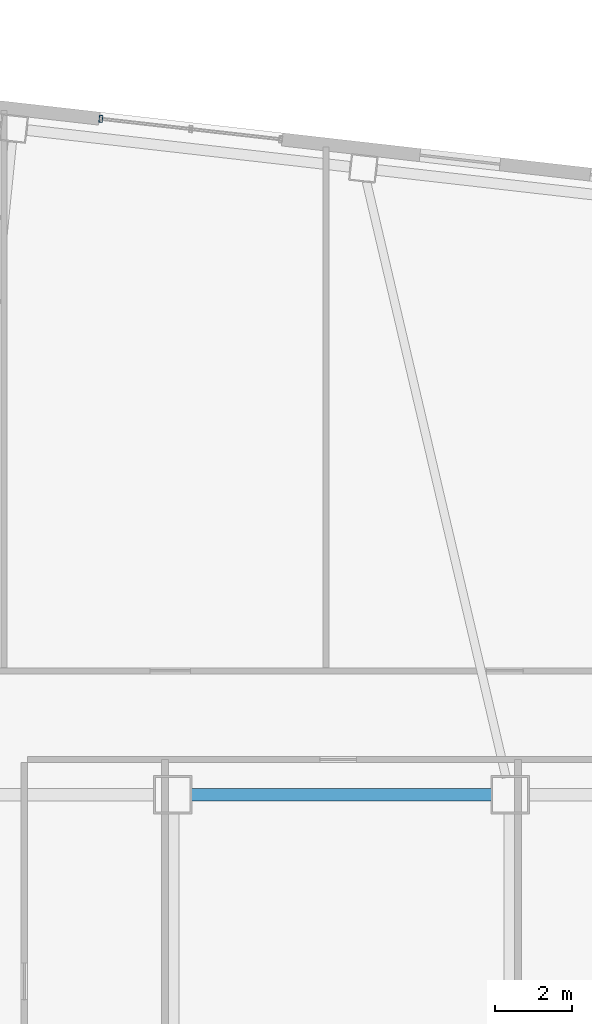
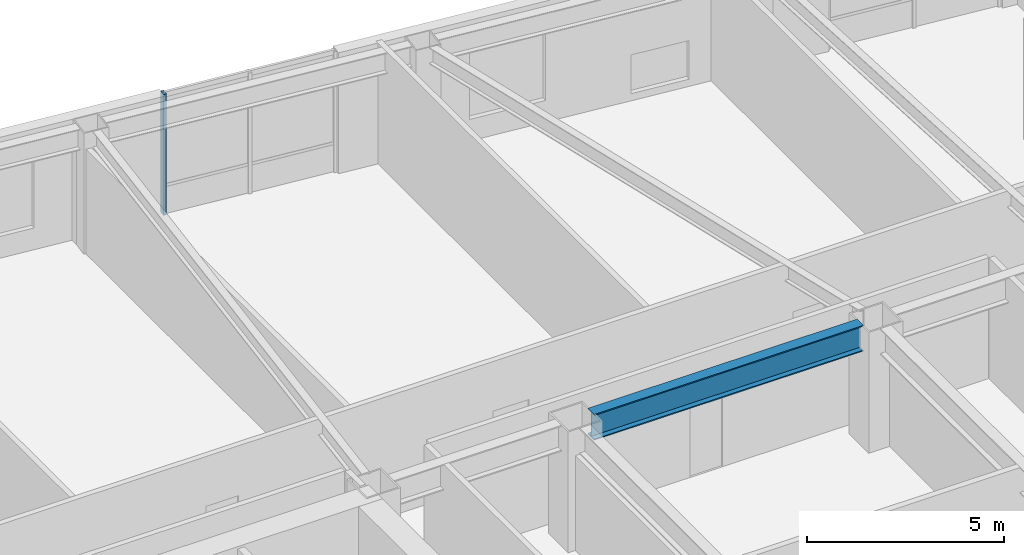
# One storey, part 5 of 19: 1 beam, 1 member, 1 element without a shape of its own.
"""IFC4 building model written with IfcOpenShell, lengths in metres."""

import ifcopenshell
import ifcopenshell.guid

model = None  # the IFC model being written
_history = None  # IfcOwnerHistory: only IFC2X3 demands one
_inside = {}  # id of a spatial element -> (the spatial element, [elements in it])
_under = {}  # id of a project, library or spatial element -> (it, [spatial elements below it])
_declared = {}  # id of a project -> (the project, [libraries it declares])
_typed = {}  # id of a type object -> (the type object, [elements of that type])
_made_of = {}  # id of a material, layer set ... -> (it, [elements and type objects made of it])


def new_model(schema):
    """Start an empty IFC model of exactly this schema.

    Asked for "IFC4X3", IfcOpenShell would pick the latest addendum, in which some entities
    have other attributes; the version numbers below select the first issue.
    IFC2X3 requires an IfcOwnerHistory on every rooted entity: one is made here for all.
    """
    global model, _history
    if schema == "IFC4X3":
        model = ifcopenshell.file(schema_version=(4, 3, 0, 0))
    else:
        model = ifcopenshell.file(schema=schema)
    _inside.clear()
    _under.clear()
    _declared.clear()
    _typed.clear()
    _made_of.clear()
    _history = None
    if model.schema == "IFC2X3":
        org = make("IfcOrganization", Name="unknown")
        user = make(
            "IfcPersonAndOrganization",
            ThePerson=make("IfcPerson", FamilyName="unknown"),
            TheOrganization=org,
        )
        app = make(
            "IfcApplication",
            ApplicationDeveloper=org,
            Version="unknown",
            ApplicationFullName="unknown",
            ApplicationIdentifier="unknown",
        )
        _history = make(
            "IfcOwnerHistory",
            OwningUser=user,
            OwningApplication=app,
            ChangeAction="ADDED",
            CreationDate=0,
        )
    return model


def make(cls, **values):
    """One entity of the class cls with the attributes given. An attribute that is None is left unset."""
    return model.create_entity(
        cls, **{name: value for name, value in values.items() if value is not None}
    )


def rooted(cls, **values):
    """An entity with a GlobalId (a new one), such as an element, a storey or a relation."""
    return make(cls, GlobalId=ifcopenshell.guid.new(), OwnerHistory=_history, **values)


def si_unit(unit_type, name, prefix=None):
    """IfcSIUnit, for example si_unit("LENGTHUNIT", "METRE", prefix="MILLI")."""
    return make("IfcSIUnit", UnitType=unit_type, Prefix=prefix, Name=name)


def assignment(units):
    """IfcUnitAssignment: the units of a project."""
    return None if units is None else make("IfcUnitAssignment", Units=units)


def point(xyz):
    """IfcCartesianPoint."""
    return None if xyz is None else make("IfcCartesianPoint", Coordinates=xyz)


def direction(xyz):
    """IfcDirection."""
    return None if xyz is None else make("IfcDirection", DirectionRatios=xyz)


def frame(location, z_axis=None, x_axis=None):
    """IfcAxis2Placement3D, a coordinate frame: its origin and axes. An axis left out is left unset."""
    return make(
        "IfcAxis2Placement3D",
        Location=point(location),
        Axis=direction(z_axis),
        RefDirection=direction(x_axis),
    )


def frame_2d(location, x_axis=None):
    """IfcAxis2Placement2D, a coordinate frame in the plane: its origin and x axis."""
    return make(
        "IfcAxis2Placement2D", Location=point(location), RefDirection=direction(x_axis)
    )


def origin():
    """The frame at (0, 0, 0) with its axes left unset."""
    return frame((0.0, 0.0, 0.0))


def origin_2d():
    """The frame at (0, 0) in the plane with its x axis left unset."""
    return frame_2d((0.0, 0.0))


def place(relative_to, where):
    """IfcLocalPlacement: puts the frame where relative to a parent placement (None: the world)."""
    return make(
        "IfcLocalPlacement", PlacementRelTo=relative_to, RelativePlacement=where
    )


def context(
    kind, dimensions, precision=None, world=None, true_north=None, identifier=None
):
    """IfcGeometricRepresentationContext, for example the 3D "Model" context."""
    return make(
        "IfcGeometricRepresentationContext",
        ContextIdentifier=identifier,
        ContextType=kind,
        CoordinateSpaceDimension=dimensions,
        Precision=precision,
        WorldCoordinateSystem=world,
        TrueNorth=true_north,
    )


def subcontext(parent, identifier, kind, view, scale=None):
    """IfcGeometricRepresentationSubContext, for example "Body" below "Model"."""
    return make(
        "IfcGeometricRepresentationSubContext",
        ContextIdentifier=identifier,
        ContextType=kind,
        ParentContext=parent,
        TargetScale=scale,
        TargetView=view,
    )


def project(units=None, contexts=None):
    """IfcProject with its units and contexts."""
    return rooted(
        "IfcProject",
        Name="project",
        RepresentationContexts=contexts,
        UnitsInContext=assignment(units),
    )


def spatial(cls, under=None, at=None, **own):
    """A site, building, storey or space (cls), placed at a placement, below another one or the project."""
    s = rooted(cls, ObjectPlacement=at, **own)
    if under is not None:
        _under.setdefault(under.id(), (under, []))[1].append(s)
    return s


def profile(cls, at=None, kind="AREA", **sizes):
    """A parametric profile (cls). Its sizes go by their IFC names, for example OverallWidth=200.0."""
    return make(cls, ProfileType=kind, Position=at, **sizes)


def hollow_rectangle(**sizes):
    """IfcRectangleHollowProfileDef."""
    return profile("IfcRectangleHollowProfileDef", **sizes)


def i_section(**sizes):
    """IfcIShapeProfileDef."""
    return profile("IfcIShapeProfileDef", **sizes)


def extrude(swept, where, along, depth):
    """IfcExtrudedAreaSolid: the profile swept, set in the frame where, extruded along a direction by depth."""
    return make(
        "IfcExtrudedAreaSolid",
        SweptArea=swept,
        Position=where,
        ExtrudedDirection=direction(along),
        Depth=depth,
    )


def shape(context_of_items, identifier, shape_type, items):
    """IfcShapeRepresentation: the items that make up one representation, for example the "Body"."""
    return make(
        "IfcShapeRepresentation",
        ContextOfItems=context_of_items,
        RepresentationIdentifier=identifier,
        RepresentationType=shape_type,
        Items=items,
    )


def material(Name=None, Category=None):
    """IfcMaterial."""
    return make("IfcMaterial", Name=Name, Category=Category)


def layer(
    of_material, thickness, ventilated=None, Name=None, Category=None, Priority=None
):
    """IfcMaterialLayer: one layer of a wall or slab, of a material (None: an air gap)."""
    return make(
        "IfcMaterialLayer",
        Material=of_material,
        LayerThickness=thickness,
        IsVentilated=ventilated,
        Name=Name,
        Category=Category,
        Priority=Priority,
    )


def layer_set(layers, Name=None):
    """IfcMaterialLayerSet."""
    return make("IfcMaterialLayerSet", MaterialLayers=layers, LayerSetName=Name)


def material_profile(
    of_material, cross_section, Name=None, Category=None, Priority=None
):
    """IfcMaterialProfile: a cross section and its material."""
    return make(
        "IfcMaterialProfile",
        Name=Name,
        Material=of_material,
        Profile=cross_section,
        Priority=Priority,
        Category=Category,
    )


def profile_set(profiles, Name=None, composite=None):
    """IfcMaterialProfileSet."""
    return make(
        "IfcMaterialProfileSet",
        Name=Name,
        MaterialProfiles=profiles,
        CompositeProfile=composite,
    )


def made_of(thing, what):
    """Note that an element or type object is made of a material, layer set ...; save() writes the relation."""
    if what is not None:
        _made_of.setdefault(what.id(), (what, []))[1].append(thing)
    return thing


def type_object(cls, material=None, **own):
    """A type object (cls), such as IfcWallType, which elements share."""
    return made_of(rooted(cls, **own), material)


def element(
    cls,
    number,
    at=None,
    inside=None,
    cuts=None,
    type_object=None,
    material=None,
    context=None,
    identifier="Body",
    shape_type=None,
    held_by="IfcProductDefinitionShape",
    body=None,
    shapes=None,
    **own,
):
    """One element of the class cls, such as IfcWall. Its Tag is "e" and its number.

    at: its placement. inside: the storey or other place that contains it. cuts: it is an
    opening in that element (IfcRelVoidsElement). A single representation is given by context,
    identifier, shape_type and body (its items); several are given by shapes. held_by: the class
    of the entity that holds the representations. save() writes the other relations.
    """
    e = rooted(cls, Tag="e%d" % number, ObjectPlacement=at, **own)
    if body is not None:
        shapes = [shape(context, identifier, shape_type, body)]
    if shapes is not None:
        e.Representation = make(held_by, Representations=shapes)
    if inside is not None:
        _inside.setdefault(inside.id(), (inside, []))[1].append(e)
    if cuts is not None:
        rooted(
            "IfcRelVoidsElement", RelatingBuildingElement=cuts, RelatedOpeningElement=e
        )
    if type_object is not None:
        _typed.setdefault(type_object.id(), (type_object, []))[1].append(e)
    return made_of(e, material)


def aggregate(whole, parts):
    """IfcRelAggregates: a whole, such as a stair, and the parts it consists of."""
    return rooted("IfcRelAggregates", RelatingObject=whole, RelatedObjects=parts)


def save(model, path):
    """Write the relations noted so far, then the file.

    IfcRelAggregates (storeys below a building ...), IfcRelContainedInSpatialStructure (elements
    in a storey), IfcRelDefinesByType, IfcRelAssociatesMaterial and IfcRelDeclares: one each for
    every whole, place, type object, material and project.
    """
    for whole, parts in _under.values():
        aggregate(whole, parts)
    for where, things in _inside.values():
        rooted(
            "IfcRelContainedInSpatialStructure",
            RelatedElements=things,
            RelatingStructure=where,
        )
    for kind, things in _typed.values():
        rooted("IfcRelDefinesByType", RelatedObjects=things, RelatingType=kind)
    for what, things in _made_of.values():
        rooted("IfcRelAssociatesMaterial", RelatedObjects=things, RelatingMaterial=what)
    for by, libraries in _declared.values():
        rooted("IfcRelDeclares", RelatingContext=by, RelatedDefinitions=libraries)
    model.write(path)


model = new_model("IFC4")

# Units and contexts
model_context = context("Model", 3, precision=1e-05, world=origin(), true_north=direction((0.0, 1.0)))
body_context = subcontext(model_context, "Body", "Model", "MODEL_VIEW")
ifc_project = project(units=[si_unit("LENGTHUNIT", "METRE"), si_unit("AREAUNIT", "SQUARE_METRE"), si_unit("VOLUMEUNIT", "CUBIC_METRE"), si_unit("PLANEANGLEUNIT", "RADIAN"), si_unit("MASSUNIT", "GRAM", prefix="KILO")], contexts=[model_context])

# Site, building, storey
site_placement = place(None, origin())
site = spatial("IfcSite", under=ifc_project, at=site_placement, CompositionType="ELEMENT")
building_placement = place(site_placement, origin())
building = spatial("IfcBuilding", under=site, at=building_placement, Name="Tavrogorsk Clinical Tower", CompositionType="ELEMENT")
storey_placement = place(building_placement, frame((0.0, 0.0, 97.39990234375)))
storey = spatial("IfcBuildingStorey", under=building, at=storey_placement, Name="L21", CompositionType="ELEMENT", Elevation=97.39990234375)

# Curtain wall, member
ifc_material_1 = material(Name="Anodised aluminium and triple IGU glazing", Category="aluminium")
ifc_layer = layer(ifc_material_1, 0.179931640625)
ifc_layer_set = layer_set([ifc_layer], Name="Anodised aluminium and triple IGU glazing")
curtain_wall_type = type_object("IfcCurtainWallType", Name="CW2_NorthSlot", PredefinedType="NOTDEFINED", material=ifc_layer_set)
curtain_wall_placement = place(storey_placement, origin())
curtain_wall = element("IfcCurtainWall", 1, at=curtain_wall_placement, inside=storey, type_object=curtain_wall_type, Name="L21 Curtain Wall CW-L21-N-SLOT-1", PredefinedType="NOTDEFINED")
ifc_material_2 = material(Name="Anodised aluminium alloy AW-6060", Category="aluminium")
ifc_material_profile_1 = material_profile(ifc_material_2, hollow_rectangle(XDim=0.090087890625, YDim=0.179931640625, WallThickness=0.00634765625, at=origin_2d()), Name="RHS-180x90x6.3")
ifc_profile_set_1 = profile_set([ifc_material_profile_1], Name="Anodised aluminium alloy AW-6060")
member_type = type_object("IfcMemberType", Name="CwMullion_180x90", PredefinedType="MULLION", material=ifc_profile_set_1)
member_placement = place(storey_placement, frame((-6.273681640625, 23.9775390625, 0.0), z_axis=(0.0, 0.0, 1.0), x_axis=(-0.993571858269, 0.113203191016, 0.0)))
member = element("IfcMember", 2, at=member_placement, type_object=member_type, Name="CW-L21-N-SLOT-1 Mullion 3", PredefinedType="MULLION", context=body_context, shape_type="SweptSolid", body=[
    extrude(hollow_rectangle(XDim=0.090087890625, YDim=0.179931640625, WallThickness=0.00634765625, at=origin_2d()), origin(), (0.0, 0.0, 1.0), 3.739990234375),
])
aggregate(curtain_wall, [member])

# Beam
ifc_material_3 = material(Name="Structural steel S390", Category="steel")
ifc_material_profile_2 = material_profile(ifc_material_3, i_section(OverallWidth=0.320068359375, OverallDepth=0.800048828125, WebThickness=0.02001953125, FlangeThickness=0.033935546875, at=origin_2d()), Name="B-800x320x20x34")
ifc_profile_set_2 = profile_set([ifc_material_profile_2], Name="Structural steel S390")
beam_type = type_object("IfcBeamType", Name="PrimaryGirder_B800", PredefinedType="USERDEFINED", material=ifc_profile_set_2)
beam_placement = place(storey_placement, frame((-3.93994140625, 6.35009765625, 3.340087890625), z_axis=(1.0, 0.0, 0.0), x_axis=(0.0, 1.0, 0.0)))
element("IfcBeam", 3, at=beam_placement, inside=storey, type_object=beam_type, Name="L21 Primary Spine Girder MG-04", ObjectType="GIRDER", PredefinedType="USERDEFINED", context=body_context, shape_type="SweptSolid", body=[
    extrude(i_section(OverallWidth=0.320068359375, OverallDepth=0.800048828125, WebThickness=0.02001953125, FlangeThickness=0.033935546875, at=origin_2d()), origin(), (0.0, 0.0, 1.0), 7.8798828125),
])

save(model, "model.ifc")
